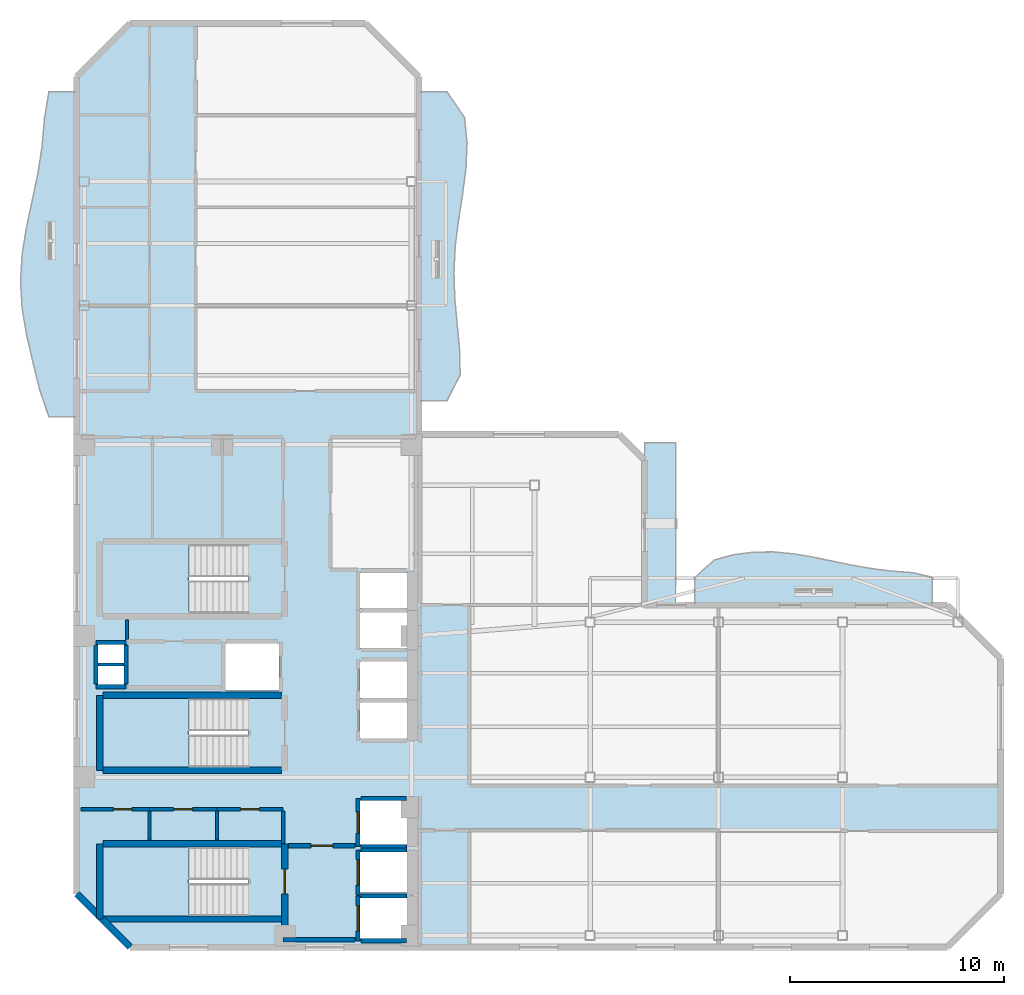
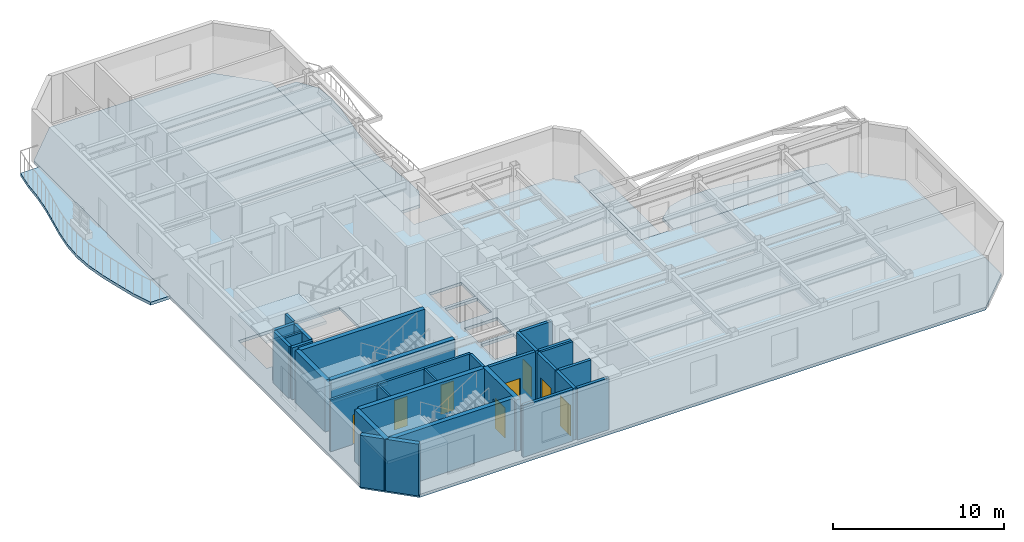
# One storey, part 2 of 8: 30 walls, 8 doors, 8 slabs, 8 openings, 3 elements without a shape of their own.
"""IFC4 building model written with IfcOpenShell, lengths in metres."""

from ifc_helpers import new_model, si_unit, direction, frame, frame_2d, origin, place, context, subcontext, project, spatial, polyline, rectangle, outline, extrude, material, layer, layer_set, type_object, element, fill, aggregate, save


model = new_model("IFC4")

# Units and contexts
model_context = context("Model", 3, precision=1e-05, world=origin(), true_north=direction((0.0, 1.0)))
body_context = subcontext(model_context, "Body", "Model", "MODEL_VIEW")
ifc_project = project(units=[si_unit("LENGTHUNIT", "METRE"), si_unit("AREAUNIT", "SQUARE_METRE"), si_unit("VOLUMEUNIT", "CUBIC_METRE"), si_unit("PLANEANGLEUNIT", "RADIAN"), si_unit("MASSUNIT", "GRAM", prefix="KILO")], contexts=[model_context])

# Site, building, storey
site_placement = place(None, origin())
site = spatial("IfcSite", under=ifc_project, at=site_placement, CompositionType="ELEMENT")
building_placement = place(site_placement, origin())
building = spatial("IfcBuilding", under=site, at=building_placement, Name="Mawjaban Terraces University", CompositionType="ELEMENT")
storey_placement = place(building_placement, frame((0.0, 0.0, 187.5)))
storey = spatial("IfcBuildingStorey", under=building, at=storey_placement, Name="L45", CompositionType="ELEMENT", Elevation=187.5)

# Slabs
ifc_material_1 = material(Name="Concrete C40/50", Category="concrete")
ifc_layer_1 = layer(ifc_material_1, 0.2099609375)
ifc_layer_set_1 = layer_set([ifc_layer_1], Name="Concrete C40/50")
slab_type_1 = type_object("IfcSlabType", Name="BalconySlab_210_Ext", PredefinedType="FLOOR", material=ifc_layer_set_1)
slab_1_placement = place(storey_placement, frame((0.0, 0.0, -0.2099609375)))
element("IfcSlab", 1, at=slab_1_placement, inside=storey, type_object=slab_type_1, Name="L45 Planted Balcony Slab west", PredefinedType="FLOOR", context=body_context, shape_type="SweptSolid", body=[
    extrude(outline(polyline([(22.010009765625, 24.800048828125), (22.010009765625, 40.0), (20.699951171875, 40.0), (20.489990234375, 38.73291015625), (20.382080078125, 37.467041015625), (20.18701171875, 36.199951171875), (19.923095703125, 34.93310546875), (19.65087890625, 33.6669921875), (19.447021484375, 32.39990234375), (19.37109375, 31.133056640625), (19.447998046875, 29.866943359375), (19.660888671875, 28.60009765625), (19.955078125, 27.3330078125), (20.263916015625, 26.06689453125), (20.699951171875, 24.800048828125), (22.010009765625, 24.800048828125)])), origin(), (0.0, 0.0, 1.0), 0.2099609375),
])
slab_2_placement = place(storey_placement, frame((0.0, 0.0, -0.2099609375)))
element("IfcSlab", 2, at=slab_2_placement, inside=storey, type_object=slab_type_1, Name="L45 Planted Balcony Slab inner_north", PredefinedType="FLOOR", context=body_context, shape_type="SweptSolid", body=[
    extrude(outline(polyline([(50.89990234375, 15.989990234375), (62.0, 15.989990234375), (62.0, 17.300048828125), (61.074951171875, 17.510986328125), (60.14990234375, 17.58203125), (59.22509765625, 17.693115234375), (58.300048828125, 17.85107421875), (57.375, 18.041015625), (56.449951171875, 18.23291015625), (55.52490234375, 18.39111328125), (54.60009765625, 18.47998046875), (53.675048828125, 18.47509765625), (52.75, 18.35791015625), (51.824951171875, 18.113037109375), (50.89990234375, 17.300048828125), (50.89990234375, 15.989990234375)])), origin(), (0.0, 0.0, 1.0), 0.2099609375),
])
slab_3_placement = place(storey_placement, frame((0.0, 0.0, -0.2099609375)))
element("IfcSlab", 3, at=slab_3_placement, inside=storey, type_object=slab_type_1, Name="L45 Planted Balcony Slab inner_east", PredefinedType="FLOOR", context=body_context, shape_type="SweptSolid", body=[
    extrude(outline(polyline([(39.300048828125, 25.5400390625), (39.923095703125, 26.7451171875), (39.89794921875, 27.949951171875), (39.781982421875, 29.155029296875), (39.672119140625, 30.360107421875), (39.633056640625, 31.56494140625), (39.695068359375, 32.77001953125), (39.844970703125, 33.97509765625), (40.033935546875, 35.179931640625), (40.193115234375, 36.385009765625), (40.248046875, 37.590087890625), (40.1279296875, 38.794921875), (39.300048828125, 40.0), (37.989990234375, 40.0), (37.989990234375, 25.5400390625), (39.300048828125, 25.5400390625)])), origin(), (0.0, 0.0, 1.0), 0.2099609375),
])
ifc_layer_2 = layer(ifc_material_1, 0.2099609375)
ifc_layer_set_2 = layer_set([ifc_layer_2], Name="Concrete C40/50")
slab_type_2 = type_object("IfcSlabType", Name="CompositeSlab_210", PredefinedType="FLOOR", material=ifc_layer_set_2)
slab_4_placement = place(storey_placement, frame((0.0, 0.0, -0.2099609375)))
element("IfcSlab", 4, at=slab_4_placement, inside=storey, type_object=slab_type_2, Name="L45 Primary Structural Slab", PredefinedType="FLOOR", context=body_context, shape_type="SweptSolid", body=[
    extrude(outline(polyline([(24.5, 0.0), (62.699951171875, 0.0), (65.199951171875, 2.5), (65.199951171875, 13.5), (62.699951171875, 16.0), (48.550048828125, 16.0), (48.550048828125, 22.7880859375), (47.35009765625, 23.988037109375), (38.0, 23.988037109375), (38.0, 40.699951171875), (35.5, 43.199951171875), (24.5, 43.199951171875), (22.0, 40.699951171875), (22.0, 2.5), (24.5, 0.0)]), holes=[polyline([(30.014892578125, 4.699951171875), (23.199951171875, 4.699951171875), (23.199951171875, 1.449951171875), (30.014892578125, 1.449951171875), (30.014892578125, 4.699951171875)]), polyline([(30.014892578125, 18.85009765625), (23.199951171875, 18.85009765625), (23.199951171875, 15.60009765625), (30.014892578125, 15.60009765625), (30.014892578125, 18.85009765625)]), polyline([(30.014892578125, 11.64990234375), (23.199951171875, 11.64990234375), (23.199951171875, 8.39990234375), (30.014892578125, 8.39990234375), (30.014892578125, 11.64990234375)]), polyline([(35.25, 0.39990234375), (37.449951171875, 0.39990234375), (37.449951171875, 2.300048828125), (35.25, 2.300048828125), (35.25, 0.39990234375)]), polyline([(35.25, 2.550048828125), (37.449951171875, 2.550048828125), (37.449951171875, 4.449951171875), (35.25, 4.449951171875), (35.25, 2.550048828125)]), polyline([(35.25, 4.800048828125), (37.449951171875, 4.800048828125), (37.449951171875, 6.85009765625), (35.25, 6.85009765625), (35.25, 4.800048828125)]), polyline([(35.25, 9.75), (37.449951171875, 9.75), (37.449951171875, 11.449951171875), (35.25, 11.449951171875), (35.25, 9.75)]), polyline([(35.25, 11.64990234375), (37.449951171875, 11.64990234375), (37.449951171875, 13.35009765625), (35.25, 13.35009765625), (35.25, 11.64990234375)]), polyline([(28.949951171875, 12.0), (31.449951171875, 12.0), (31.449951171875, 14.199951171875), (28.949951171875, 14.199951171875), (28.949951171875, 12.0)]), polyline([(35.25, 14.0), (37.449951171875, 14.0), (37.449951171875, 15.64990234375), (35.25, 15.64990234375), (35.25, 14.0)]), polyline([(35.25, 15.85009765625), (37.449951171875, 15.85009765625), (37.449951171875, 17.5), (35.25, 17.5), (35.25, 15.85009765625)]), polyline([(23.0, 12.25), (24.199951171875, 12.25), (24.199951171875, 13.14990234375), (23.0, 13.14990234375), (23.0, 12.25)]), polyline([(23.0, 13.300048828125), (24.199951171875, 13.300048828125), (24.199951171875, 14.179931640625), (23.0, 14.179931640625), (23.0, 13.300048828125)])]), origin(), (0.0, 0.0, 1.0), 0.2099609375),
])

# Stair, slab
stair_type = type_object("IfcStairType", Name="Stair_Core1550_H39", PredefinedType="HALF_TURN_STAIR", material=ifc_material_1)
stair_1_placement = place(storey_placement, origin())
stair_1 = element("IfcStair", 5, at=stair_1_placement, inside=storey, type_object=stair_type, Name="L45 Core Exit Stair 1", PredefinedType="HALF_TURN_STAIR")
ifc_layer_3 = layer(ifc_material_1, 0.199951171875)
ifc_layer_set_3 = layer_set([ifc_layer_3], Name="Concrete C40/50")
slab_type_3 = type_object("IfcSlabType", Name="StairLandingSlab_200", PredefinedType="LANDING", material=ifc_layer_set_3)
slab_5_placement = place(storey_placement, frame((0.0, 0.0, 1.75)))
slab_5 = element("IfcSlab", 6, at=slab_5_placement, type_object=slab_type_3, Name="ST-1 landing 1", PredefinedType="LANDING", context=body_context, shape_type="SweptSolid", body=[
    extrude(outline(polyline([(27.25, 4.699951171875), (23.199951171875, 4.699951171875), (23.199951171875, 1.449951171875), (27.25, 1.449951171875), (27.25, 4.699951171875)])), origin(), (0.0, 0.0, 1.0), 0.199951171875),
])
aggregate(stair_1, [slab_5])

stair_2_placement = place(storey_placement, origin())
stair_2 = element("IfcStair", 7, at=stair_2_placement, inside=storey, type_object=stair_type, Name="L45 Core Exit Stair 2", PredefinedType="HALF_TURN_STAIR")
slab_6_placement = place(storey_placement, frame((0.0, 0.0, 1.75)))
slab_6 = element("IfcSlab", 8, at=slab_6_placement, type_object=slab_type_3, Name="ST-2 landing 1", PredefinedType="LANDING", context=body_context, shape_type="SweptSolid", body=[
    extrude(outline(polyline([(27.25, 18.85009765625), (23.199951171875, 18.85009765625), (23.199951171875, 15.60009765625), (27.25, 15.60009765625), (27.25, 18.85009765625)])), origin(), (0.0, 0.0, 1.0), 0.199951171875),
])
aggregate(stair_2, [slab_6])

stair_3_placement = place(storey_placement, origin())
stair_3 = element("IfcStair", 9, at=stair_3_placement, inside=storey, type_object=stair_type, Name="L45 Core Exit Stair 3", PredefinedType="HALF_TURN_STAIR")
slab_7_placement = place(storey_placement, frame((0.0, 0.0, 1.75)))
slab_7 = element("IfcSlab", 10, at=slab_7_placement, type_object=slab_type_3, Name="ST-3 landing 1", PredefinedType="LANDING", context=body_context, shape_type="SweptSolid", body=[
    extrude(outline(polyline([(27.25, 11.64990234375), (23.199951171875, 11.64990234375), (23.199951171875, 8.39990234375), (27.25, 8.39990234375), (27.25, 11.64990234375)])), origin(), (0.0, 0.0, 1.0), 0.199951171875),
])
aggregate(stair_3, [slab_7])

# Slab
ifc_layer_4 = layer(ifc_material_1, 0.2099609375)
ifc_layer_set_4 = layer_set([ifc_layer_4], Name="Concrete C40/50")
slab_type_4 = type_object("IfcSlabType", Name="StudyTerraceSlab_210_Ext", PredefinedType="FLOOR", material=ifc_layer_set_4)
slab_8_placement = place(storey_placement, frame((0.0, 0.0, -0.2099609375)))
element("IfcSlab", 11, at=slab_8_placement, inside=storey, type_object=slab_type_4, Name="L45 Exterior Study Terrace Slab", PredefinedType="FLOOR", context=body_context, shape_type="SweptSolid", body=[
    extrude(outline(polyline([(48.550048828125, 16.0), (50.0, 16.0), (50.0, 23.587890625), (48.550048828125, 23.587890625), (48.550048828125, 16.0)])), origin(), (0.0, 0.0, 1.0), 0.2099609375),
])

# Wall, opening, door
ifc_material_2 = material(Name="Fire-rated gypsum board on steel stud", Category="steel")
ifc_layer_5 = layer(ifc_material_2, 0.159912109375)
ifc_layer_set_5 = layer_set([ifc_layer_5], Name="Fire-rated gypsum board on steel stud")
wall_type_1 = type_object("IfcWallType", Name="CorridorPartition_160", PredefinedType="PARTITIONING", material=ifc_layer_set_5)
wall_1_placement = place(storey_placement, frame((22.199951171875, 6.449951171875, 0.0), z_axis=(0.0, 0.0, 1.0), x_axis=(1.0, 0.0, 0.0)))
wall_1 = element("IfcWall", 12, at=wall_1_placement, inside=storey, type_object=wall_type_1, Name="L45 Core Washroom Lobby Partition 1", PredefinedType="PARTITIONING", context=body_context, shape_type="SweptSolid", body=[
    extrude(rectangle(XDim=3.199951171875, YDim=0.159912109375, at=frame_2d((1.60009765625, 0.0))), origin(), (0.0, 0.0, 1.0), 3.68994140625),
])
opening_1_placement = place(wall_1_placement, frame((1.510009765625, 0.0, 0.0)))
opening_1 = element("IfcOpeningElement", 13, at=opening_1_placement, cuts=wall_1, Name="Opening ID-088", PredefinedType="OPENING", context=body_context, shape_type="SweptSolid", body=[
    extrude(rectangle(XDim=0.8798828125, YDim=2.10009765625, at=frame_2d((0.43994140625, 1.050048828125))), frame((0.0, 0.08984375, 0.0), z_axis=(0.0, -1.0, 0.0), x_axis=(1.0, 0.0, 0.0)), (0.0, 0.0, 1.0), 0.179931640625),
])
ifc_material_3 = material(Name="Powder-coated steel frame and solid acoustic timber leaf", Category="steel")
door_type_1 = type_object("IfcDoorType", Name="ToiletDoor_880x2100", OperationType="NOTDEFINED", PredefinedType="DOOR", material=ifc_material_3)
door_1_placement = place(opening_1_placement, origin())
door_1 = element("IfcDoor", 14, at=door_1_placement, inside=storey, type_object=door_type_1, Name="L45 Male Toilet Door", OperationType="SINGLE_SWING_RIGHT", OverallHeight=2.10009765625, OverallWidth=0.8798828125, PredefinedType="DOOR", context=body_context, shape_type="SweptSolid", body=[
    extrude(rectangle(XDim=0.8798828125, YDim=2.10009765625, at=frame_2d((0.43994140625, 1.050048828125))), frame((0.0, 0.02490234375, 0.0), z_axis=(0.0, -1.0, 0.0), x_axis=(1.0, 0.0, 0.0)), (0.0, 0.0, 1.0), 0.050048828125),
])
fill(opening_1, door_1)

wall_2_placement = place(storey_placement, frame((25.39990234375, 6.449951171875, 0.0), z_axis=(0.0, 0.0, 1.0), x_axis=(1.0, 0.0, 0.0)))
wall_2 = element("IfcWall", 15, at=wall_2_placement, inside=storey, type_object=wall_type_1, Name="L45 Core Washroom Lobby Partition 4", PredefinedType="PARTITIONING", context=body_context, shape_type="SweptSolid", body=[
    extrude(rectangle(XDim=3.150146484375, YDim=0.159912109375, at=frame_2d((1.5751953125, 0.0))), origin(), (0.0, 0.0, 1.0), 3.68994140625),
])
opening_2_placement = place(wall_2_placement, frame((1.135009765625, 0.0, 0.0)))
opening_2 = element("IfcOpeningElement", 16, at=opening_2_placement, cuts=wall_2, Name="Opening ID-088", PredefinedType="OPENING", context=body_context, shape_type="SweptSolid", body=[
    extrude(rectangle(XDim=0.8798828125, YDim=2.10009765625, at=frame_2d((0.43994140625, 1.050048828125))), frame((0.0, 0.08984375, 0.0), z_axis=(0.0, -1.0, 0.0), x_axis=(1.0, 0.0, 0.0)), (0.0, 0.0, 1.0), 0.179931640625),
])
door_2_placement = place(opening_2_placement, origin())
door_2 = element("IfcDoor", 17, at=door_2_placement, inside=storey, type_object=door_type_1, Name="L45 Female Toilet Door", OperationType="SINGLE_SWING_LEFT", OverallHeight=2.10009765625, OverallWidth=0.8798828125, PredefinedType="DOOR", context=body_context, shape_type="SweptSolid", body=[
    extrude(rectangle(XDim=0.8798828125, YDim=2.10009765625, at=frame_2d((0.43994140625, 1.050048828125))), frame((0.0, 0.02490234375, 0.0), z_axis=(0.0, -1.0, 0.0), x_axis=(1.0, 0.0, 0.0)), (0.0, 0.0, 1.0), 0.050048828125),
])
fill(opening_2, door_2)

wall_3_placement = place(storey_placement, frame((28.550048828125, 6.449951171875, 0.0), z_axis=(0.0, 0.0, 1.0), x_axis=(1.0, 0.0, 0.0)))
wall_3 = element("IfcWall", 18, at=wall_3_placement, inside=storey, type_object=wall_type_1, Name="L45 Core Washroom Lobby Partition 10", PredefinedType="PARTITIONING", context=body_context, shape_type="SweptSolid", body=[
    extrude(rectangle(XDim=3.099853515625, YDim=0.159912109375, at=frame_2d((1.5498046875, 0.0))), origin(), (0.0, 0.0, 1.0), 3.68994140625),
])
opening_3_placement = place(wall_3_placement, frame((1.110107421875, 0.0, 0.0)))
opening_3 = element("IfcOpeningElement", 19, at=opening_3_placement, cuts=wall_3, Name="Opening ID-088", PredefinedType="OPENING", context=body_context, shape_type="SweptSolid", body=[
    extrude(rectangle(XDim=0.8798828125, YDim=2.10009765625, at=frame_2d((0.43994140625, 1.050048828125))), frame((0.0, 0.08984375, 0.0), z_axis=(0.0, -1.0, 0.0), x_axis=(1.0, 0.0, 0.0)), (0.0, 0.0, 1.0), 0.179931640625),
])
door_3_placement = place(opening_3_placement, origin())
door_3 = element("IfcDoor", 20, at=door_3_placement, inside=storey, type_object=door_type_1, Name="L45 Accessible Toilet Door", OperationType="SINGLE_SWING_RIGHT", OverallHeight=2.10009765625, OverallWidth=0.8798828125, PredefinedType="DOOR", context=body_context, shape_type="SweptSolid", body=[
    extrude(rectangle(XDim=0.8798828125, YDim=2.10009765625, at=frame_2d((0.43994140625, 1.050048828125))), frame((0.0, 0.02490234375, 0.0), z_axis=(0.0, -1.0, 0.0), x_axis=(1.0, 0.0, 0.0)), (0.0, 0.0, 1.0), 0.050048828125),
])
fill(opening_3, door_3)

# Walls
wall_4_placement = place(storey_placement, frame((24.35009765625, 15.2900390625, 0.0), z_axis=(0.0, 0.0, 1.0), x_axis=(0.0, -1.0, 0.0)))
element("IfcWall", 21, at=wall_4_placement, inside=storey, type_object=wall_type_1, Name="L45 Core Riser Access Passage Partition 28", PredefinedType="PARTITIONING", context=body_context, shape_type="SweptSolid", body=[
    extrude(rectangle(XDim=0.89501953125, YDim=0.159912109375, at=frame_2d((0.447509765625, 0.0))), origin(), (0.0, 0.0, 1.0), 3.68994140625),
])
wall_5_placement = place(storey_placement, frame((31.64990234375, 4.860107421875, 0.0), z_axis=(0.0, 0.0, 1.0), x_axis=(0.0, 1.0, 0.0)))
element("IfcWall", 22, at=wall_5_placement, inside=storey, type_object=wall_type_1, Name="L45 Accessible Toilet Partition 41", PredefinedType="PARTITIONING", context=body_context, shape_type="SweptSolid", body=[
    extrude(rectangle(XDim=1.514892578125, YDim=0.159912109375, at=frame_2d((0.75732421875, 0.0))), origin(), (0.0, 0.0, 1.0), 3.68994140625),
])
ifc_material_4 = material(Name="Insulated terracotta rainscreen on concrete backup C40/50", Category="masonry")
ifc_layer_6 = layer(ifc_material_4, 0.300048828125)
ifc_layer_set_6 = layer_set([ifc_layer_6], Name="Insulated terracotta rainscreen on concrete backup C40/50")
wall_type_2 = type_object("IfcWallType", Name="ExtTerracottaWall_300", PredefinedType="SOLIDWALL", material=ifc_layer_set_6)
wall_6_placement = place(storey_placement, frame((22.0, 2.5, 0.0), z_axis=(0.0, 0.0, 1.0), x_axis=(0.707106781187, -0.707106781187, 0.0)))
element("IfcWall", 23, at=wall_6_placement, inside=storey, type_object=wall_type_2, Name="L45 Exterior Terracotta Wall 14", PredefinedType="SOLIDWALL", context=body_context, shape_type="SweptSolid", body=[
    extrude(rectangle(XDim=3.53564453125, YDim=0.300048828125, at=frame_2d((1.767822265625, 0.0))), origin(), (0.0, 0.0, 1.0), 3.68994140625),
])

# Wall, opening, door
ifc_layer_7 = layer(ifc_material_1, 0.199951171875)
ifc_layer_set_7 = layer_set([ifc_layer_7], Name="Concrete C40/50")
wall_type_3 = type_object("IfcWallType", Name="FireLobbyWall_200", PredefinedType="SOLIDWALL", material=ifc_layer_set_7)
wall_7_placement = place(storey_placement, frame((35.14990234375, 2.39990234375, 0.0), z_axis=(0.0, 0.0, 1.0), x_axis=(0.0, -1.0, 0.0)))
wall_7 = element("IfcWall", 24, at=wall_7_placement, inside=storey, type_object=wall_type_3, Name="L45 Lift FL-1 Hoistway Wall West", PredefinedType="SOLIDWALL", context=body_context, shape_type="SweptSolid", body=[
    extrude(rectangle(XDim=2.099853515625, YDim=0.199951171875, at=frame_2d((1.0498046875, 0.0))), origin(), (0.0, 0.0, 1.0), 3.68994140625),
])
opening_4_placement = place(wall_7_placement, frame((0.449951171875, 0.0, 0.0)))
opening_4 = element("IfcOpeningElement", 25, at=opening_4_placement, cuts=wall_7, Name="Opening LD-FL-1", PredefinedType="OPENING", context=body_context, shape_type="SweptSolid", body=[
    extrude(rectangle(XDim=1.199951171875, YDim=2.14990234375, at=frame_2d((0.60009765625, 1.074951171875))), frame((0.0, 0.10986328125, 0.0), z_axis=(0.0, -1.0, 0.0), x_axis=(1.0, 0.0, 0.0)), (0.0, 0.0, 1.0), 0.219970703125),
])
ifc_material_5 = material(Name="Powder-coated steel frame and fire-rated steel-faced leaf", Category="steel")
door_type_2 = type_object("IfcDoorType", Name="LiftLandingFSAE_1200x2150", OperationType="NOTDEFINED", PredefinedType="DOOR", material=ifc_material_5)
door_4_placement = place(opening_4_placement, origin())
door_4 = element("IfcDoor", 26, at=door_4_placement, inside=storey, type_object=door_type_2, Name="L45 Lift FL-1 Sliding Landing Door", OperationType="DOUBLE_DOOR_SLIDING", OverallHeight=2.14990234375, OverallWidth=1.199951171875, PredefinedType="DOOR", context=body_context, shape_type="SweptSolid", body=[
    extrude(rectangle(XDim=1.199951171875, YDim=2.14990234375, at=frame_2d((0.60009765625, 1.074951171875))), frame((0.0, 0.02490234375, 0.0), z_axis=(0.0, -1.0, 0.0), x_axis=(1.0, 0.0, 0.0)), (0.0, 0.0, 1.0), 0.050048828125),
])
fill(opening_4, door_4)

# Walls
for number, where, z_axis, x_axis, name in (
    (27, (35.280029296875, 0.300048828125, 0.0), (0.0, 0.0, 1.0), (1.0, 0.0, 0.0), "L45 Lift FL-1 Hoistway Wall South"),
    (28, (37.419921875, 2.39990234375, 0.0), (0.0, 0.0, 1.0), (-1.0, 0.0, 0.0), "L45 Lift FL-1 Hoistway Wall North"),
):
    element("IfcWall", number, at=place(storey_placement, frame(where, z_axis=z_axis, x_axis=x_axis)), inside=storey, type_object=wall_type_3, Name=name, PredefinedType="SOLIDWALL", context=body_context, shape_type="SweptSolid", body=[
        extrude(rectangle(XDim=2.139892578125, YDim=0.199951171875, at=frame_2d((1.06982421875, 0.0))), origin(), (0.0, 0.0, 1.0), 3.68994140625),
    ])

# Wall, opening, door
wall_8_placement = place(storey_placement, frame((35.14990234375, 4.550048828125, 0.0), z_axis=(0.0, 0.0, 1.0), x_axis=(0.0, -1.0, 0.0)))
wall_8 = element("IfcWall", 29, at=wall_8_placement, inside=storey, type_object=wall_type_3, Name="L45 Lift FL-2 Hoistway Wall West", PredefinedType="SOLIDWALL", context=body_context, shape_type="SweptSolid", body=[
    extrude(rectangle(XDim=2.10009765625, YDim=0.199951171875, at=frame_2d((1.050048828125, 0.0))), origin(), (0.0, 0.0, 1.0), 3.68994140625),
])
opening_5_placement = place(wall_8_placement, frame((0.449951171875, 0.0, 0.0)))
opening_5 = element("IfcOpeningElement", 30, at=opening_5_placement, cuts=wall_8, Name="Opening LD-FL-2", PredefinedType="OPENING", context=body_context, shape_type="SweptSolid", body=[
    extrude(rectangle(XDim=1.199951171875, YDim=2.14990234375, at=frame_2d((0.60009765625, 1.074951171875))), frame((0.0, 0.10986328125, 0.0), z_axis=(0.0, -1.0, 0.0), x_axis=(1.0, 0.0, 0.0)), (0.0, 0.0, 1.0), 0.219970703125),
])
door_5_placement = place(opening_5_placement, origin())
door_5 = element("IfcDoor", 31, at=door_5_placement, inside=storey, type_object=door_type_2, Name="L45 Lift FL-2 Sliding Landing Door", OperationType="DOUBLE_DOOR_SLIDING", OverallHeight=2.14990234375, OverallWidth=1.199951171875, PredefinedType="DOOR", context=body_context, shape_type="SweptSolid", body=[
    extrude(rectangle(XDim=1.199951171875, YDim=2.14990234375, at=frame_2d((0.60009765625, 1.074951171875))), frame((0.0, 0.02490234375, 0.0), z_axis=(0.0, -1.0, 0.0), x_axis=(1.0, 0.0, 0.0)), (0.0, 0.0, 1.0), 0.050048828125),
])
fill(opening_5, door_5)

# Wall
wall_9_placement = place(storey_placement, frame((37.419921875, 4.550048828125, 0.0), z_axis=(0.0, 0.0, 1.0), x_axis=(-1.0, 0.0, 0.0)))
element("IfcWall", 32, at=wall_9_placement, inside=storey, type_object=wall_type_3, Name="L45 Lift FL-2 Hoistway Wall North", PredefinedType="SOLIDWALL", context=body_context, shape_type="SweptSolid", body=[
    extrude(rectangle(XDim=2.139892578125, YDim=0.199951171875, at=frame_2d((1.06982421875, 0.0))), origin(), (0.0, 0.0, 1.0), 3.68994140625),
])

# Wall, opening, door
wall_10_placement = place(storey_placement, frame((35.14990234375, 6.949951171875, 0.0), z_axis=(0.0, 0.0, 1.0), x_axis=(0.0, -1.0, 0.0)))
wall_10 = element("IfcWall", 33, at=wall_10_placement, inside=storey, type_object=wall_type_3, Name="L45 Lift SL-1 Hoistway Wall West", PredefinedType="SOLIDWALL", context=body_context, shape_type="SweptSolid", body=[
    extrude(rectangle(XDim=2.25, YDim=0.199951171875, at=frame_2d((1.125, 0.0))), origin(), (0.0, 0.0, 1.0), 3.68994140625),
])
opening_6_placement = place(wall_10_placement, frame((0.625, 0.0, 0.0)))
opening_6 = element("IfcOpeningElement", 34, at=opening_6_placement, cuts=wall_10, Name="Opening LD-SL-1", PredefinedType="OPENING", context=body_context, shape_type="SweptSolid", body=[
    extrude(rectangle(XDim=1.0, YDim=2.10009765625, at=frame_2d((0.5, 1.050048828125))), frame((0.0, 0.10986328125, 0.0), z_axis=(0.0, -1.0, 0.0), x_axis=(1.0, 0.0, 0.0)), (0.0, 0.0, 1.0), 0.219970703125),
])
door_type_3 = type_object("IfcDoorType", Name="LiftLandingSliding_1000x2100", OperationType="NOTDEFINED", PredefinedType="DOOR", material=ifc_material_5)
door_6_placement = place(opening_6_placement, origin())
door_6 = element("IfcDoor", 35, at=door_6_placement, inside=storey, type_object=door_type_3, Name="L45 Lift SL-1 Sliding Landing Door", OperationType="DOUBLE_DOOR_SLIDING", OverallHeight=2.10009765625, OverallWidth=1.0, PredefinedType="DOOR", context=body_context, shape_type="SweptSolid", body=[
    extrude(rectangle(XDim=1.0, YDim=2.10009765625, at=frame_2d((0.5, 1.050048828125))), frame((0.0, 0.02490234375, 0.0), z_axis=(0.0, -1.0, 0.0), x_axis=(1.0, 0.0, 0.0)), (0.0, 0.0, 1.0), 0.050048828125),
])
fill(opening_6, door_6)

# Walls
for number, where, z_axis, x_axis, name in (
    (36, (35.280029296875, 4.699951171875, 0.0), (0.0, 0.0, 1.0), (1.0, 0.0, 0.0), "L45 Lift SL-1 Hoistway Wall South"),
    (37, (37.419921875, 6.949951171875, 0.0), (0.0, 0.0, 1.0), (-1.0, 0.0, 0.0), "L45 Lift SL-1 Hoistway Wall North"),
):
    element("IfcWall", number, at=place(storey_placement, frame(where, z_axis=z_axis, x_axis=x_axis)), inside=storey, type_object=wall_type_3, Name=name, PredefinedType="SOLIDWALL", context=body_context, shape_type="SweptSolid", body=[
        extrude(rectangle(XDim=2.139892578125, YDim=0.199951171875, at=frame_2d((1.06982421875, 0.0))), origin(), (0.0, 0.0, 1.0), 3.68994140625),
    ])
for number, where, z_axis, x_axis, name in (
    (38, (22.89990234375, 14.25, 0.0), (0.0, 0.0, 1.0), (1.0, 0.0, 0.0), "L45 MEP Riser Shaft Wall N"),
    (39, (22.89990234375, 12.179931640625, 0.0), (0.0, 0.0, 1.0), (1.0, 0.0, 0.0), "L45 MEP Riser Shaft Wall S"),
):
    element("IfcWall", number, at=place(storey_placement, frame(where, z_axis=z_axis, x_axis=x_axis)), inside=storey, type_object=wall_type_3, Name=name, PredefinedType="SOLIDWALL", context=body_context, shape_type="SweptSolid", body=[
        extrude(rectangle(XDim=1.400146484375, YDim=0.199951171875, at=frame_2d((0.7001953125, 0.0))), origin(), (0.0, 0.0, 1.0), 3.68994140625),
    ])
for number, where, z_axis, x_axis, name in (
    (40, (24.300048828125, 12.300048828125, 0.0), (0.0, 0.0, 1.0), (0.0, 1.0, 0.0), "L45 MEP Riser Shaft Wall E"),
    (41, (22.89990234375, 12.300048828125, 0.0), (0.0, 0.0, 1.0), (0.0, 1.0, 0.0), "L45 MEP Riser Shaft Wall W"),
):
    element("IfcWall", number, at=place(storey_placement, frame(where, z_axis=z_axis, x_axis=x_axis)), inside=storey, type_object=wall_type_3, Name=name, PredefinedType="SOLIDWALL", context=body_context, shape_type="SweptSolid", body=[
        extrude(rectangle(XDim=1.829833984375, YDim=0.199951171875, at=frame_2d((0.9150390625, 0.0))), origin(), (0.0, 0.0, 1.0), 3.68994140625),
    ])
wall_11_placement = place(storey_placement, frame((31.64990234375, 0.35009765625, 0.0), z_axis=(0.0, 0.0, 1.0), x_axis=(1.0, 0.0, 0.0)))
element("IfcWall", 42, at=wall_11_placement, inside=storey, type_object=wall_type_3, Name="L45 Firefighting Lift Lobby Partition 12", PredefinedType="SOLIDWALL", context=body_context, shape_type="SweptSolid", body=[
    extrude(rectangle(XDim=3.3701171875, YDim=0.199951171875, at=frame_2d((1.68505859375, 0.0))), origin(), (0.0, 0.0, 1.0), 3.68994140625),
])

# Wall, opening, door
wall_12_placement = place(storey_placement, frame((35.02001953125, 4.75, 0.0), z_axis=(0.0, 0.0, 1.0), x_axis=(-1.0, 0.0, 0.0)))
wall_12 = element("IfcWall", 43, at=wall_12_placement, inside=storey, type_object=wall_type_3, Name="L45 Firefighting Lift Lobby Partition 15", PredefinedType="SOLIDWALL", context=body_context, shape_type="SweptSolid", body=[
    extrude(rectangle(XDim=3.110107421875, YDim=0.199951171875, at=frame_2d((1.55517578125, 0.0))), origin(), (0.0, 0.0, 1.0), 3.68994140625),
])
opening_7_placement = place(wall_12_placement, frame((1.030029296875, 0.0, 0.0)))
opening_7 = element("IfcOpeningElement", 44, at=opening_7_placement, cuts=wall_12, Name="Opening FD-105", PredefinedType="OPENING", context=body_context, shape_type="SweptSolid", body=[
    extrude(rectangle(XDim=1.050048828125, YDim=2.14990234375, at=frame_2d((0.52490234375, 1.074951171875))), frame((0.0, 0.10986328125, 0.0), z_axis=(0.0, -1.0, 0.0), x_axis=(1.0, 0.0, 0.0)), (0.0, 0.0, 1.0), 0.219970703125),
])
door_type_4 = type_object("IfcDoorType", Name="FireLobbyDoor_1050x2150", OperationType="NOTDEFINED", PredefinedType="DOOR", material=ifc_material_5)
door_7_placement = place(opening_7_placement, origin())
door_7 = element("IfcDoor", 45, at=door_7_placement, inside=storey, type_object=door_type_4, Name="L45 Firefighting Lift Lobby Door", OperationType="SINGLE_SWING_LEFT", OverallHeight=2.14990234375, OverallWidth=1.050048828125, PredefinedType="DOOR", context=body_context, shape_type="SweptSolid", body=[
    extrude(rectangle(XDim=1.050048828125, YDim=2.14990234375, at=frame_2d((0.52490234375, 1.074951171875))), frame((0.0, 0.02490234375, 0.0), z_axis=(0.0, -1.0, 0.0), x_axis=(1.0, 0.0, 0.0)), (0.0, 0.0, 1.0), 0.050048828125),
])
fill(opening_7, door_7)

# Walls
ifc_material_6 = material(Name="Moisture-resistant gypsum board on steel stud", Category="steel")
ifc_layer_8 = layer(ifc_material_6, 0.14501953125)
ifc_layer_set_8 = layer_set([ifc_layer_8], Name="Moisture-resistant gypsum board on steel stud")
wall_type_4 = type_object("IfcWallType", Name="LabPartition_145", PredefinedType="PARTITIONING", material=ifc_layer_set_8)
wall_13_placement = place(storey_placement, frame((23.010009765625, 13.22509765625, 0.0), z_axis=(0.0, 0.0, 1.0), x_axis=(1.0, 0.0, 0.0)))
element("IfcWall", 46, at=wall_13_placement, inside=storey, type_object=wall_type_4, Name="L45 MEP Riser Shaft Wall M", PredefinedType="PARTITIONING", context=body_context, shape_type="SweptSolid", body=[
    extrude(rectangle(XDim=1.179931640625, YDim=0.14501953125, at=frame_2d((0.58984375, 0.0))), origin(), (0.0, 0.0, 1.0), 3.68994140625),
])
ifc_material_7 = material(Name="Concrete C60/75", Category="concrete")
ifc_layer_9 = layer(ifc_material_7, 0.300048828125)
ifc_layer_set_9 = layer_set([ifc_layer_9], Name="Concrete C60/75")
wall_type_5 = type_object("IfcWallType", Name="StairShaftWall_300", PredefinedType="SHEAR", material=ifc_layer_set_9)
wall_14_placement = place(storey_placement, frame((31.580078125, 4.830078125, 0.0), z_axis=(0.0, 0.0, 1.0), x_axis=(-1.0, 0.0, 0.0)))
element("IfcWall", 47, at=wall_14_placement, inside=storey, type_object=wall_type_5, Name="L45 ST-1 Stair Shaft Wall 1", PredefinedType="SHEAR", context=body_context, shape_type="SweptSolid", body=[
    extrude(rectangle(XDim=8.360107421875, YDim=0.300048828125, at=frame_2d((4.18017578125, 0.0))), origin(), (0.0, 0.0, 1.0), 3.68994140625),
])
wall_15_placement = place(storey_placement, frame((23.070068359375, 4.830078125, 0.0), z_axis=(0.0, 0.0, 1.0), x_axis=(0.0, -1.0, 0.0)))
element("IfcWall", 48, at=wall_15_placement, inside=storey, type_object=wall_type_5, Name="L45 ST-1 Stair Shaft Wall 2", PredefinedType="SHEAR", context=body_context, shape_type="SweptSolid", body=[
    extrude(rectangle(XDim=3.510009765625, YDim=0.300048828125, at=frame_2d((1.7548828125, 0.0))), origin(), (0.0, 0.0, 1.0), 3.68994140625),
])
wall_16_placement = place(storey_placement, frame((23.219970703125, 1.320068359375, 0.0), z_axis=(0.0, 0.0, 1.0), x_axis=(1.0, 0.0, 0.0)))
element("IfcWall", 49, at=wall_16_placement, inside=storey, type_object=wall_type_5, Name="L45 ST-1 Stair Shaft Wall 3", PredefinedType="SHEAR", context=body_context, shape_type="SweptSolid", body=[
    extrude(rectangle(XDim=8.360107421875, YDim=0.300048828125, at=frame_2d((4.18017578125, 0.0))), origin(), (0.0, 0.0, 1.0), 3.68994140625),
])

# Wall, opening, door
wall_17_placement = place(storey_placement, frame((31.72998046875, 0.9599609375, 0.0), z_axis=(0.0, 0.0, 1.0), x_axis=(0.0, 1.0, 0.0)))
wall_17 = element("IfcWall", 50, at=wall_17_placement, inside=storey, type_object=wall_type_5, Name="L45 ST-1 Stair Shaft Wall 4", PredefinedType="SHEAR", context=body_context, shape_type="SweptSolid", body=[
    extrude(rectangle(XDim=3.8701171875, YDim=0.300048828125, at=frame_2d((1.93505859375, 0.0))), origin(), (0.0, 0.0, 1.0), 3.68994140625),
])
opening_8_placement = place(wall_17_placement, frame((1.5400390625, 0.0, 0.0)))
opening_8 = element("IfcOpeningElement", 51, at=opening_8_placement, cuts=wall_17, Name="Opening FD-115", PredefinedType="OPENING", context=body_context, shape_type="SweptSolid", body=[
    extrude(rectangle(XDim=1.14990234375, YDim=2.14990234375, at=frame_2d((0.574951171875, 1.074951171875))), frame((0.0, 0.159912109375, 0.0), z_axis=(0.0, -1.0, 0.0), x_axis=(1.0, 0.0, 0.0)), (0.0, 0.0, 1.0), 0.320068359375),
])
door_type_5 = type_object("IfcDoorType", Name="FireStairDoor_1150x2150", OperationType="NOTDEFINED", PredefinedType="DOOR", material=ifc_material_5)
door_8_placement = place(opening_8_placement, origin())
door_8 = element("IfcDoor", 52, at=door_8_placement, inside=storey, type_object=door_type_5, Name="L45 ST-1 Pressurised Stair Fire Door", OperationType="SINGLE_SWING_RIGHT", OverallHeight=2.14990234375, OverallWidth=1.14990234375, PredefinedType="DOOR", context=body_context, shape_type="SweptSolid", body=[
    extrude(rectangle(XDim=1.14990234375, YDim=2.14990234375, at=frame_2d((0.574951171875, 1.074951171875))), frame((0.0, 0.02490234375, 0.0), z_axis=(0.0, -1.0, 0.0), x_axis=(1.0, 0.0, 0.0)), (0.0, 0.0, 1.0), 0.050048828125),
])
fill(opening_8, door_8)

# Walls
wall_18_placement = place(storey_placement, frame((31.580078125, 11.780029296875, 0.0), z_axis=(0.0, 0.0, 1.0), x_axis=(-1.0, 0.0, 0.0)))
element("IfcWall", 53, at=wall_18_placement, inside=storey, type_object=wall_type_5, Name="L45 ST-3 Stair Shaft Wall 1", PredefinedType="SHEAR", context=body_context, shape_type="SweptSolid", body=[
    extrude(rectangle(XDim=8.360107421875, YDim=0.300048828125, at=frame_2d((4.18017578125, 0.0))), origin(), (0.0, 0.0, 1.0), 3.68994140625),
])
wall_19_placement = place(storey_placement, frame((23.070068359375, 11.780029296875, 0.0), z_axis=(0.0, 0.0, 1.0), x_axis=(0.0, -1.0, 0.0)))
element("IfcWall", 54, at=wall_19_placement, inside=storey, type_object=wall_type_5, Name="L45 ST-3 Stair Shaft Wall 2", PredefinedType="SHEAR", context=body_context, shape_type="SweptSolid", body=[
    extrude(rectangle(XDim=3.510009765625, YDim=0.300048828125, at=frame_2d((1.7548828125, 0.0))), origin(), (0.0, 0.0, 1.0), 3.68994140625),
])
wall_20_placement = place(storey_placement, frame((23.219970703125, 8.27001953125, 0.0), z_axis=(0.0, 0.0, 1.0), x_axis=(1.0, 0.0, 0.0)))
element("IfcWall", 55, at=wall_20_placement, inside=storey, type_object=wall_type_5, Name="L45 ST-3 Stair Shaft Wall 3", PredefinedType="SHEAR", context=body_context, shape_type="SweptSolid", body=[
    extrude(rectangle(XDim=8.360107421875, YDim=0.300048828125, at=frame_2d((4.18017578125, 0.0))), origin(), (0.0, 0.0, 1.0), 3.68994140625),
])
ifc_material_8 = material(Name="Cement-board wet-room partition", Category="masonry")
ifc_layer_10 = layer(ifc_material_8, 0.135009765625)
ifc_layer_set_10 = layer_set([ifc_layer_10], Name="Cement-board wet-room partition")
wall_type_6 = type_object("IfcWallType", Name="WetRoomPartition_135", PredefinedType="PARTITIONING", material=ifc_layer_set_10)
for number, where, z_axis, x_axis, name in (
    (56, (25.39990234375, 5.010009765625, 0.0), (0.0, 0.0, 1.0), (0.0, 1.0, 0.0), "L45 Male Toilet Partition 29"),
    (57, (28.550048828125, 5.010009765625, 0.0), (0.0, 0.0, 1.0), (0.0, 1.0, 0.0), "L45 Female Toilet Partition 39"),
):
    element("IfcWall", number, at=place(storey_placement, frame(where, z_axis=z_axis, x_axis=x_axis)), inside=storey, type_object=wall_type_6, Name=name, PredefinedType="PARTITIONING", context=body_context, shape_type="SweptSolid", body=[
        extrude(rectangle(XDim=1.364990234375, YDim=0.135009765625, at=frame_2d((0.6826171875, 0.0))), origin(), (0.0, 0.0, 1.0), 3.68994140625),
    ])

save(model, "model.ifc")
